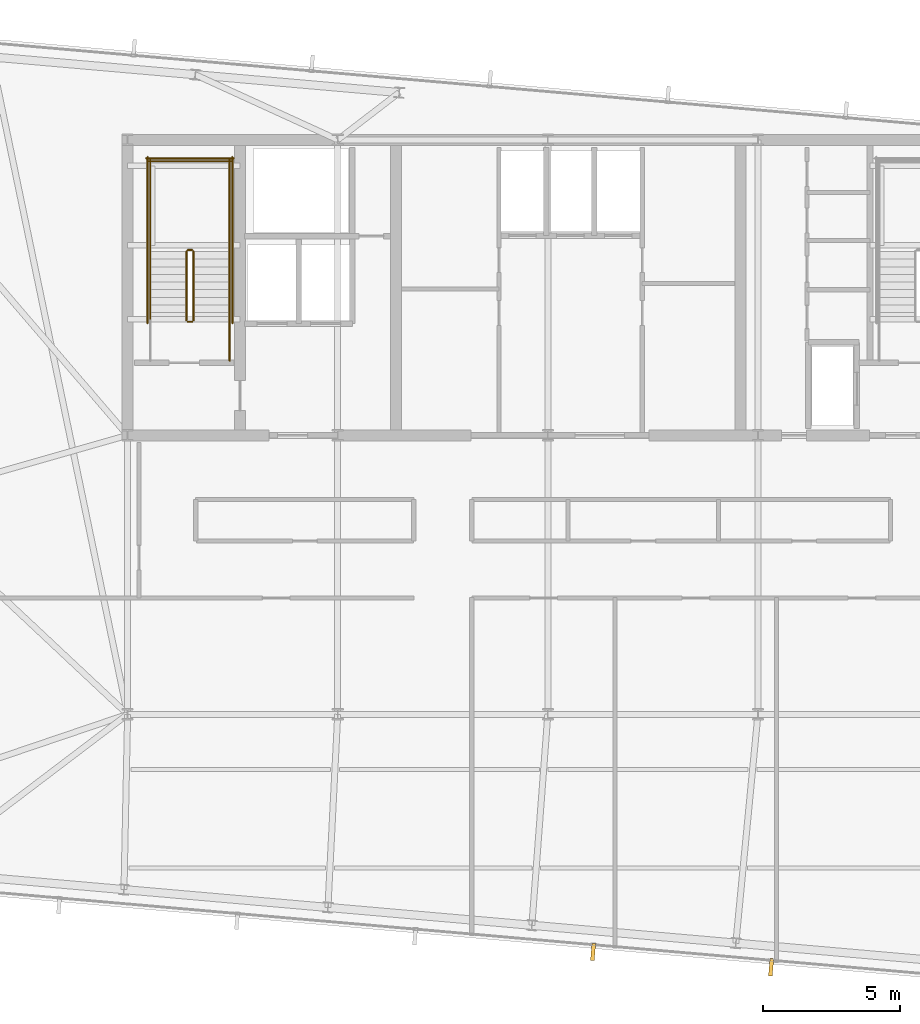
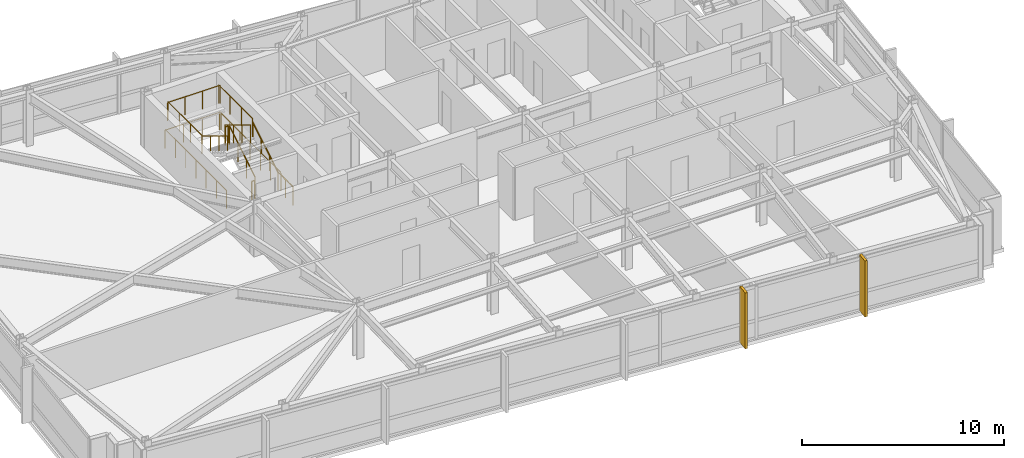
# One storey, part 22 of 24: 13 railings, 2 shading devices.
"""IFC4 building model written with IfcOpenShell, lengths in metres."""

from ifc_helpers import new_model, si_unit, direction, frame, origin, origin_2d, place, context, subcontext, project, spatial, rectangle, circle, extrude, material, layer, layer_set, type_object, element, save


model = new_model("IFC4")

# Units and contexts
model_context = context("Model", 3, precision=1e-05, world=origin(), true_north=direction((0.0, 1.0)))
body_context = subcontext(model_context, "Body", "Model", "MODEL_VIEW")
ifc_project = project(units=[si_unit("LENGTHUNIT", "METRE"), si_unit("AREAUNIT", "SQUARE_METRE"), si_unit("VOLUMEUNIT", "CUBIC_METRE"), si_unit("PLANEANGLEUNIT", "RADIAN"), si_unit("MASSUNIT", "GRAM", prefix="KILO")], contexts=[model_context])

# Site, building, storey
site_placement = place(None, origin())
site = spatial("IfcSite", under=ifc_project, at=site_placement, CompositionType="ELEMENT")
building_placement = place(site_placement, origin())
building = spatial("IfcBuilding", under=site, at=building_placement, Name="Yelkora Congress Tower", CompositionType="ELEMENT")
storey_placement = place(building_placement, frame((0.0, 0.0, 296.5)))
storey = spatial("IfcBuildingStorey", under=building, at=storey_placement, Name="L83", CompositionType="ELEMENT", Elevation=296.5)

# Railings
ifc_material_1 = material(Name="Painted galvanised steel stair well guard with vertical infill", Category="steel")
ifc_layer_1 = layer(ifc_material_1, 0.06005859375)
ifc_layer_set_1 = layer_set([ifc_layer_1], Name="Painted galvanised steel stair well guard with vertical infill")
railing_type_1 = type_object("IfcRailingType", Name="RAIL-STAIR-GUARD-1120", PredefinedType="GUARDRAIL", material=ifc_layer_set_1)
railing_1_placement = place(storey_placement, frame((25.449951171875, 39.60009765625, 0.169921875)))
element("IfcRailing", 1, at=railing_1_placement, inside=storey, type_object=railing_type_1, Name="ST-01 L83 Stair Well Guardrail 1", PredefinedType="GUARDRAIL", context=body_context, shape_type="SweptSolid", body=[
    extrude(circle(Radius=0.02392578125, at=origin_2d()), frame((0.0, 0.0, 1.09619140625), z_axis=(0.0, 0.85478489116, 0.518982456201), x_axis=(-1.0, 0.0, 0.0)), (0.0, 0.0, 1.0), 2.9482421875),
    extrude(circle(Radius=0.02099609375, at=origin_2d()), origin(), (0.0, 0.0, 1.0), 1.072021484375),
    extrude(circle(Radius=0.02099609375, at=origin_2d()), frame((0.0, 0.840087890625, 0.510009765625)), (0.0, 0.0, 1.0), 1.072021484375),
    extrude(circle(Radius=0.02099609375, at=origin_2d()), frame((0.0, 1.679931640625, 1.02001953125)), (0.0, 0.0, 1.0), 1.072021484375),
    extrude(circle(Radius=0.02099609375, at=origin_2d()), frame((0.0, 2.52001953125, 1.530029296875)), (0.0, 0.0, 1.0), 1.072021484375),
])
railing_2_placement = place(storey_placement, frame((25.39990234375, 42.169921875, 1.699951171875)))
element("IfcRailing", 2, at=railing_2_placement, inside=storey, type_object=railing_type_1, Name="ST-01 L83 Stair Well Guardrail 2", PredefinedType="GUARDRAIL", context=body_context, shape_type="SweptSolid", body=[
    extrude(circle(Radius=0.02392578125, at=origin_2d()), frame((0.0, 0.0, 1.09619140625), z_axis=(-1.0, 0.0, 0.0), x_axis=(0.0, -1.0, 0.0)), (0.0, 0.0, 1.0), 0.159912109375),
    extrude(circle(Radius=0.02099609375, at=origin_2d()), origin(), (0.0, 0.0, 1.0), 1.072021484375),
    extrude(circle(Radius=0.02099609375, at=origin_2d()), frame((-0.159912109375, 0.0, 0.0)), (0.0, 0.0, 1.0), 1.072021484375),
])
for number, where, name in (
    (3, (26.77001953125, 42.1201171875, 1.699951171875), "ST-01 L83 Stair Well Guardrail 3"),
    (4, (23.8701171875, 42.1201171875, 1.699951171875), "ST-01 L83 Stair Well Guardrail 4"),
):
    element("IfcRailing", number, at=place(storey_placement, frame(where)), inside=storey, type_object=railing_type_1, Name=name, PredefinedType="GUARDRAIL", context=body_context, shape_type="SweptSolid", body=[
        extrude(circle(Radius=0.02392578125, at=origin_2d()), frame((0.0, 0.0, 1.09619140625), z_axis=(0.0, 1.0, 0.0), x_axis=(-1.0, 0.0, 0.0)), (0.0, 0.0, 1.0), 3.349853515625),
        extrude(circle(Radius=0.02099609375, at=origin_2d()), origin(), (0.0, 0.0, 1.0), 1.072021484375),
        extrude(circle(Radius=0.02099609375, at=origin_2d()), frame((0.0, 1.11669921875, 0.0)), (0.0, 0.0, 1.0), 1.072021484375),
        extrude(circle(Radius=0.02099609375, at=origin_2d()), frame((0.0, 2.233154296875, 0.0)), (0.0, 0.0, 1.0), 1.072021484375),
        extrude(circle(Radius=0.02099609375, at=origin_2d()), frame((0.0, 3.349853515625, 0.0)), (0.0, 0.0, 1.0), 1.072021484375),
    ])
railing_3_placement = place(storey_placement, frame((26.820068359375, 45.419921875, 1.699951171875)))
element("IfcRailing", 5, at=railing_3_placement, inside=storey, type_object=railing_type_1, Name="ST-01 L83 Stair Well Guardrail 5", PredefinedType="GUARDRAIL", context=body_context, shape_type="SweptSolid", body=[
    extrude(circle(Radius=0.02392578125, at=origin_2d()), frame((0.0, 0.0, 1.09619140625), z_axis=(-1.0, 0.0, 0.0), x_axis=(0.0, -1.0, 0.0)), (0.0, 0.0, 1.0), 3.0),
    extrude(circle(Radius=0.02099609375, at=origin_2d()), origin(), (0.0, 0.0, 1.0), 1.072021484375),
    extrude(circle(Radius=0.02099609375, at=origin_2d()), frame((-1.0, 0.0, 0.0)), (0.0, 0.0, 1.0), 1.072021484375),
    extrude(circle(Radius=0.02099609375, at=origin_2d()), frame((-2.0, 0.0, 0.0)), (0.0, 0.0, 1.0), 1.072021484375),
    extrude(circle(Radius=0.02099609375, at=origin_2d()), frame((-3.0, 0.0, 0.0)), (0.0, 0.0, 1.0), 1.072021484375),
])
railing_4_placement = place(storey_placement, frame((25.18994140625, 42.1201171875, 1.8701171875)))
element("IfcRailing", 6, at=railing_4_placement, inside=storey, type_object=railing_type_1, Name="ST-01 L83 Stair Well Guardrail 6", PredefinedType="GUARDRAIL", context=body_context, shape_type="SweptSolid", body=[
    extrude(circle(Radius=0.02392578125, at=origin_2d()), frame((0.0, 0.0, 1.09619140625), z_axis=(0.0, -0.854821627497, 0.518921945155), x_axis=(1.0, 0.0, 0.0)), (0.0, 0.0, 1.0), 2.947998046875),
    extrude(circle(Radius=0.02099609375, at=origin_2d()), origin(), (0.0, 0.0, 1.0), 1.072021484375),
    extrude(circle(Radius=0.02099609375, at=origin_2d()), frame((0.0, -0.840087890625, 0.510009765625)), (0.0, 0.0, 1.0), 1.072021484375),
    extrude(circle(Radius=0.02099609375, at=origin_2d()), frame((0.0, -1.679931640625, 1.019775390625)), (0.0, 0.0, 1.0), 1.072021484375),
    extrude(circle(Radius=0.02099609375, at=origin_2d()), frame((0.0, -2.52001953125, 1.52978515625)), (0.0, 0.0, 1.0), 1.072021484375),
])
railing_5_placement = place(storey_placement, frame((25.39990234375, 39.550048828125, 0.0)))
element("IfcRailing", 7, at=railing_5_placement, inside=storey, type_object=railing_type_1, Name="ST-01 L83 Stair Well Guardrail 7", PredefinedType="GUARDRAIL", context=body_context, shape_type="SweptSolid", body=[
    extrude(circle(Radius=0.02392578125, at=origin_2d()), frame((0.0, 0.0, 1.09619140625), z_axis=(-1.0, 0.0, 0.0), x_axis=(0.0, -1.0, 0.0)), (0.0, 0.0, 1.0), 0.159912109375),
    extrude(circle(Radius=0.02099609375, at=origin_2d()), origin(), (0.0, 0.0, 1.0), 1.072021484375),
    extrude(circle(Radius=0.02099609375, at=origin_2d()), frame((-0.159912109375, 0.0, 0.0)), (0.0, 0.0, 1.0), 1.072021484375),
])
railing_6_placement = place(storey_placement, frame((26.77001953125, 38.1201171875, 0.0)))
element("IfcRailing", 8, at=railing_6_placement, inside=storey, type_object=railing_type_1, Name="ST-01 L83 Stair Well Guardrail 8", PredefinedType="GUARDRAIL", context=body_context, shape_type="SweptSolid", body=[
    extrude(circle(Radius=0.02392578125, at=origin_2d()), frame((0.0, 0.0, 1.09619140625), z_axis=(0.0, 1.0, 0.0), x_axis=(-1.0, 0.0, 0.0)), (0.0, 0.0, 1.0), 1.47998046875),
    extrude(circle(Radius=0.02099609375, at=origin_2d()), origin(), (0.0, 0.0, 1.0), 1.072021484375),
    extrude(circle(Radius=0.02099609375, at=origin_2d()), frame((0.0, 0.739990234375, 0.0)), (0.0, 0.0, 1.0), 1.072021484375),
    extrude(circle(Radius=0.02099609375, at=origin_2d()), frame((0.0, 1.47998046875, 0.0)), (0.0, 0.0, 1.0), 1.072021484375),
])
for number, where, name in (
    (9, (26.8701171875, 39.5, 0.0), "ST-01 L83 Stair Well Guardrail 10"),
    (10, (23.77001953125, 39.5, 0.0), "ST-01 L83 Stair Well Guardrail 11"),
):
    element("IfcRailing", number, at=place(storey_placement, frame(where)), inside=storey, type_object=railing_type_1, Name=name, PredefinedType="GUARDRAIL", context=body_context, shape_type="SweptSolid", body=[
        extrude(circle(Radius=0.02392578125, at=origin_2d()), frame((0.0, 0.0, 1.09619140625), z_axis=(0.0, 1.0, 0.0), x_axis=(-1.0, 0.0, 0.0)), (0.0, 0.0, 1.0), 6.070068359375),
        extrude(circle(Radius=0.02099609375, at=origin_2d()), origin(), (0.0, 0.0, 1.0), 1.072021484375),
        extrude(circle(Radius=0.02099609375, at=origin_2d()), frame((0.0, 1.01171875, 0.0)), (0.0, 0.0, 1.0), 1.072021484375),
        extrude(circle(Radius=0.02099609375, at=origin_2d()), frame((0.0, 2.0234375, 0.0)), (0.0, 0.0, 1.0), 1.072021484375),
        extrude(circle(Radius=0.02099609375, at=origin_2d()), frame((0.0, 3.03515625, 0.0)), (0.0, 0.0, 1.0), 1.072021484375),
        extrude(circle(Radius=0.02099609375, at=origin_2d()), frame((0.0, 4.046630859375, 0.0)), (0.0, 0.0, 1.0), 1.072021484375),
        extrude(circle(Radius=0.02099609375, at=origin_2d()), frame((0.0, 5.058349609375, 0.0)), (0.0, 0.0, 1.0), 1.072021484375),
        extrude(circle(Radius=0.02099609375, at=origin_2d()), frame((0.0, 6.070068359375, 0.0)), (0.0, 0.0, 1.0), 1.072021484375),
    ])
railing_7_placement = place(storey_placement, frame((26.919921875, 45.52001953125, 0.0)))
element("IfcRailing", 11, at=railing_7_placement, inside=storey, type_object=railing_type_1, Name="ST-01 L83 Stair Well Guardrail 12", PredefinedType="GUARDRAIL", context=body_context, shape_type="SweptSolid", body=[
    extrude(circle(Radius=0.02392578125, at=origin_2d()), frame((0.0, 0.0, 1.09619140625), z_axis=(-1.0, 0.0, 0.0), x_axis=(0.0, -1.0, 0.0)), (0.0, 0.0, 1.0), 3.199951171875),
    extrude(circle(Radius=0.02099609375, at=origin_2d()), origin(), (0.0, 0.0, 1.0), 1.072021484375),
    extrude(circle(Radius=0.02099609375, at=origin_2d()), frame((-1.066650390625, 0.0, 0.0)), (0.0, 0.0, 1.0), 1.072021484375),
    extrude(circle(Radius=0.02099609375, at=origin_2d()), frame((-2.13330078125, 0.0, 0.0)), (0.0, 0.0, 1.0), 1.072021484375),
    extrude(circle(Radius=0.02099609375, at=origin_2d()), frame((-3.199951171875, 0.0, 0.0)), (0.0, 0.0, 1.0), 1.072021484375),
])
ifc_material_2 = material(Name="Brushed stainless steel tubular handrail", Category="steel")
ifc_layer_2 = layer(ifc_material_2, 0.050048828125)
ifc_layer_set_2 = layer_set([ifc_layer_2], Name="Brushed stainless steel tubular handrail")
railing_type_2 = type_object("IfcRailingType", Name="RAIL-STAIR-HAND-920", PredefinedType="HANDRAIL", material=ifc_layer_set_2)
railing_8_placement = place(storey_placement, frame((26.77001953125, 39.60009765625, 0.169921875)))
element("IfcRailing", 12, at=railing_8_placement, inside=storey, type_object=railing_type_2, Name="ST-01 L83 Pitch Handrail 1", PredefinedType="HANDRAIL", context=body_context, shape_type="SweptSolid", body=[
    extrude(circle(Radius=0.02392578125, at=origin_2d()), frame((0.0, 0.0, 0.89599609375), z_axis=(0.0, 0.85478489116, 0.518982456201), x_axis=(-1.0, 0.0, 0.0)), (0.0, 0.0, 1.0), 2.9482421875),
    extrude(circle(Radius=0.02099609375, at=origin_2d()), origin(), (0.0, 0.0, 1.0), 0.871826171875),
    extrude(circle(Radius=0.02099609375, at=origin_2d()), frame((0.0, 0.840087890625, 0.510009765625)), (0.0, 0.0, 1.0), 0.871826171875),
    extrude(circle(Radius=0.02099609375, at=origin_2d()), frame((0.0, 1.679931640625, 1.02001953125)), (0.0, 0.0, 1.0), 0.871826171875),
    extrude(circle(Radius=0.02099609375, at=origin_2d()), frame((0.0, 2.52001953125, 1.530029296875)), (0.0, 0.0, 1.0), 0.871826171875),
])
railing_9_placement = place(storey_placement, frame((23.8701171875, 42.1201171875, 1.8701171875)))
element("IfcRailing", 13, at=railing_9_placement, inside=storey, type_object=railing_type_2, Name="ST-01 L83 Pitch Handrail 2", PredefinedType="HANDRAIL", context=body_context, shape_type="SweptSolid", body=[
    extrude(circle(Radius=0.02392578125, at=origin_2d()), frame((0.0, 0.0, 0.89599609375), z_axis=(0.0, -0.854821627497, 0.518921945155), x_axis=(1.0, 0.0, 0.0)), (0.0, 0.0, 1.0), 2.947998046875),
    extrude(circle(Radius=0.02099609375, at=origin_2d()), origin(), (0.0, 0.0, 1.0), 0.871826171875),
    extrude(circle(Radius=0.02099609375, at=origin_2d()), frame((0.0, -0.840087890625, 0.510009765625)), (0.0, 0.0, 1.0), 0.871826171875),
    extrude(circle(Radius=0.02099609375, at=origin_2d()), frame((0.0, -1.679931640625, 1.019775390625)), (0.0, 0.0, 1.0), 0.871826171875),
    extrude(circle(Radius=0.02099609375, at=origin_2d()), frame((0.0, -2.52001953125, 1.52978515625)), (0.0, 0.0, 1.0), 0.871826171875),
])

# Shading devices
ifc_material_3 = material(Name="Champagne anodised aluminium", Category="aluminium")
ifc_layer_3 = layer(ifc_material_3, 3.39990234375)
ifc_layer_set_3 = layer_set([ifc_layer_3], Name="Champagne anodised aluminium")
shading_device_type = type_object("IfcShadingDeviceType", Name="SHD-FIN-ALU-640", PredefinedType="USERDEFINED", material=ifc_layer_set_3)
for number, where, z_axis, x_axis, name in (
    (14, (46.56201171875, 15.950927734375, -0.030029296875), (0.0, 0.0, 1.0), (-0.996194698092, 0.087155742748, 0.0), "L83 Vertical Anodised Solar Fin 20-1"),
    (15, (40.055419921875, 16.520263671875, -0.030029296875), (0.0, 0.0, 1.0), (-0.996194698092, 0.087155742748, 0.0), "L83 Vertical Anodised Solar Fin 20-2"),
):
    element("IfcShadingDevice", number, at=place(storey_placement, frame(where, z_axis=z_axis, x_axis=x_axis)), inside=storey, type_object=shading_device_type, Name=name, ObjectType="FIN", PredefinedType="USERDEFINED", context=body_context, shape_type="SweptSolid", body=[
        extrude(rectangle(XDim=0.139892578125, YDim=0.639892578125, at=origin_2d()), origin(), (0.0, 0.0, 1.0), 3.3798828125),
    ])

save(model, "model.ifc")
